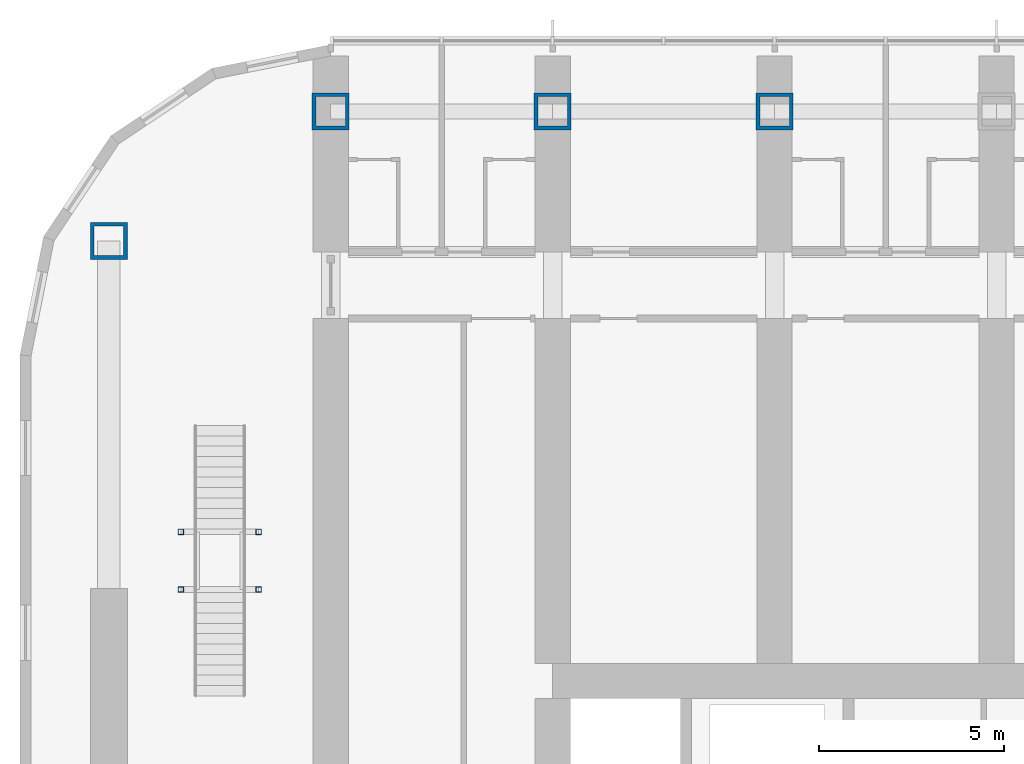
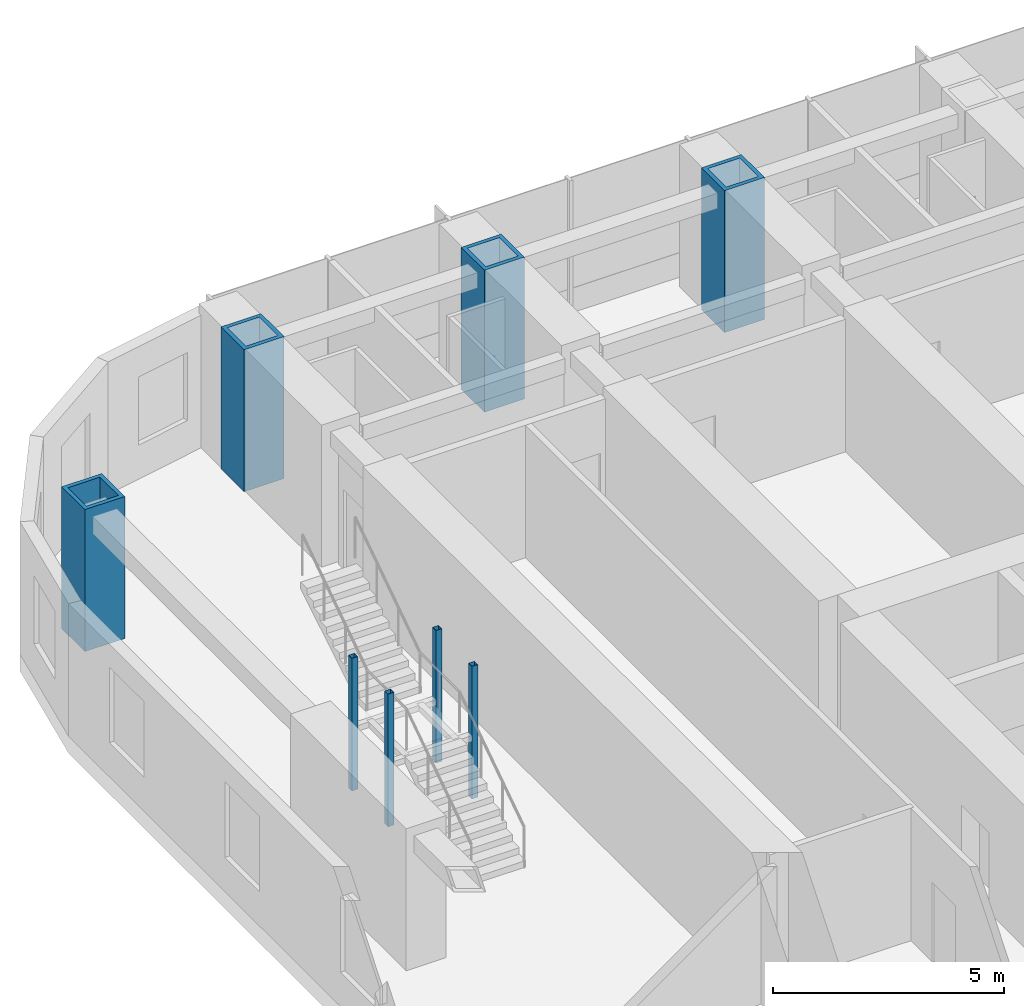
# One storey, part 2 of 25: 8 columns.
"""IFC4 building model written with IfcOpenShell, lengths in metres."""

from ifc_helpers import new_model, si_unit, direction, frame, origin, origin_2d, place, context, subcontext, project, spatial, hollow_rectangle, extrude, material, material_profile, profile_set, type_object, element, save


model = new_model("IFC4")

# Units and contexts
model_context = context("Model", 3, precision=1e-05, world=origin(), true_north=direction((0.0, 1.0)))
body_context = subcontext(model_context, "Body", "Model", "MODEL_VIEW")
ifc_project = project(units=[si_unit("LENGTHUNIT", "METRE"), si_unit("AREAUNIT", "SQUARE_METRE"), si_unit("VOLUMEUNIT", "CUBIC_METRE"), si_unit("PLANEANGLEUNIT", "RADIAN"), si_unit("MASSUNIT", "GRAM", prefix="KILO")], contexts=[model_context])

# Site, building, storey
site_placement = place(None, origin())
site = spatial("IfcSite", under=ifc_project, at=site_placement, CompositionType="ELEMENT")
building_placement = place(site_placement, origin())
building = spatial("IfcBuilding", under=site, at=building_placement, Name="Orbita Commons", CompositionType="ELEMENT")
storey_placement = place(building_placement, frame((0.0, 0.0, 84.39990234375)))
storey = spatial("IfcBuildingStorey", under=building, at=storey_placement, Name="L20", CompositionType="ELEMENT", Elevation=84.39990234375)

# Columns
ifc_material_1 = material(Name="Steel ASTM A992", Category="steel")
ifc_material_profile_1 = material_profile(ifc_material_1, hollow_rectangle(XDim=0.14990234375, YDim=0.14990234375, WallThickness=0.008056640625, at=origin_2d()), Name="SHS 150x150x8")
ifc_profile_set_1 = profile_set([ifc_material_profile_1], Name="Steel ASTM A992")
column_type_1 = type_object("IfcColumnType", Name="Landing post SHS 150x150x8", PredefinedType="COLUMN", material=ifc_profile_set_1)
for number, where, z_axis, x_axis, name in (
    (1, (7.949951171875, 40.675048828125, 0.0), (0.0, 0.0, 1.0), (1.0, 0.0, 0.0), "Neighbourhood stair L20 to L21 landing post 1"),
    (2, (10.050048828125, 40.675048828125, 0.0), (0.0, 0.0, 1.0), (1.0, 0.0, 0.0), "Neighbourhood stair L20 to L21 landing post 2"),
    (3, (7.949951171875, 42.235107421875, 0.0), (0.0, 0.0, 1.0), (1.0, 0.0, 0.0), "Neighbourhood stair L20 to L21 landing post 3"),
    (4, (10.050048828125, 42.235107421875, 0.0), (0.0, 0.0, 1.0), (1.0, 0.0, 0.0), "Neighbourhood stair L20 to L21 landing post 4"),
):
    element("IfcColumn", number, at=place(storey_placement, frame(where, z_axis=z_axis, x_axis=x_axis)), inside=storey, type_object=column_type_1, Name=name, PredefinedType="COLUMN", context=body_context, shape_type="SweptSolid", body=[
        extrude(hollow_rectangle(XDim=0.14990234375, YDim=0.14990234375, WallThickness=0.008056640625, at=origin_2d()), origin(), (0.0, 0.0, 1.0), 3.5),
    ])
ifc_material_2 = material(Name="Steel ASTM A572 Gr 50 welded plate", Category="steel")
ifc_material_profile_2 = material_profile(ifc_material_2, hollow_rectangle(XDim=1.0, YDim=1.0, WallThickness=0.10009765625, at=origin_2d()), Name="BOX 1000x1000x100")
ifc_profile_set_2 = profile_set([ifc_material_profile_2], Name="Steel ASTM A572 Gr 50 welded plate")
column_type_2 = type_object("IfcColumnType", Name="Steel column BOX 1000x1000x100", PredefinedType="COLUMN", material=ifc_profile_set_2)
for number, where, z_axis, x_axis, name in (
    (5, (12.0, 53.60009765625, 0.0), (0.0, 0.0, 1.0), (1.0, 0.0, 0.0), "Column 3/E L20"),
    (6, (18.0, 53.60009765625, 0.0), (0.0, 0.0, 1.0), (1.0, 0.0, 0.0), "Column 4/E L20"),
    (7, (24.0, 53.60009765625, 0.0), (0.0, 0.0, 1.0), (1.0, 0.0, 0.0), "Column 5/E L20"),
    (8, (6.0, 50.10009765625, 0.0), (0.0, 0.0, 1.0), (1.0, 0.0, 0.0), "Column 2/50.1 L20"),
):
    element("IfcColumn", number, at=place(storey_placement, frame(where, z_axis=z_axis, x_axis=x_axis)), inside=storey, type_object=column_type_2, Name=name, PredefinedType="COLUMN", context=body_context, shape_type="SweptSolid", body=[
        extrude(hollow_rectangle(XDim=1.0, YDim=1.0, WallThickness=0.10009765625, at=origin_2d()), origin(), (0.0, 0.0, 1.0), 3.75),
    ])

save(model, "model.ifc")
